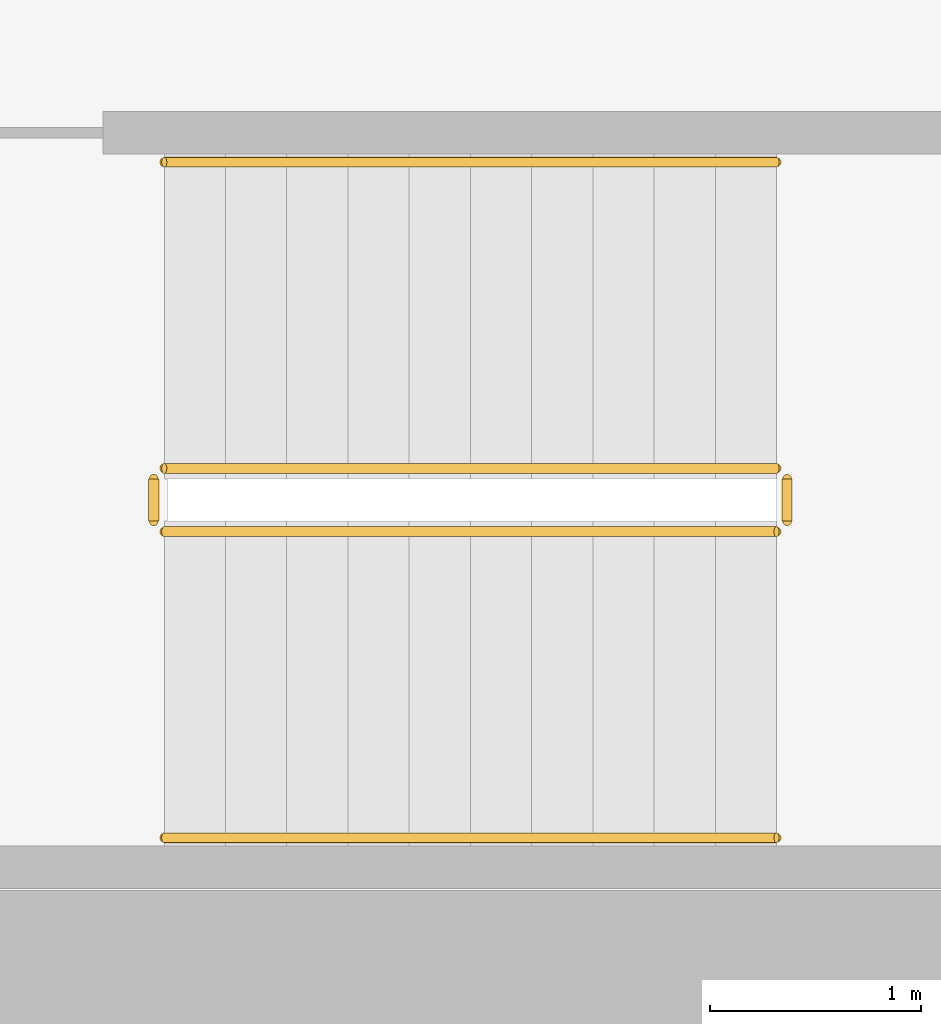
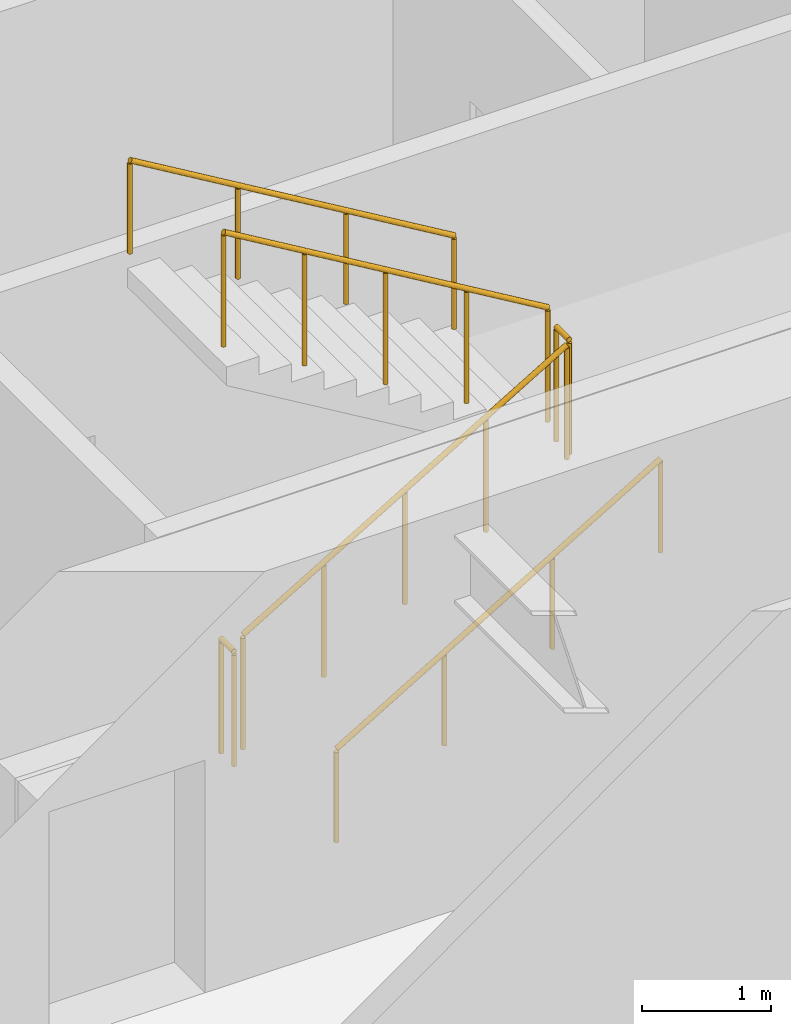
# One storey, part 20 of 21: 6 railings.
"""IFC4 building model written with IfcOpenShell, lengths in metres."""

from ifc_helpers import new_model, si_unit, direction, frame, origin, origin_2d, place, context, subcontext, project, spatial, circle, extrude, material, type_object, element, save


model = new_model("IFC4")

# Units and contexts
model_context = context("Model", 3, precision=1e-05, world=origin(), true_north=direction((0.0, 1.0)))
body_context = subcontext(model_context, "Body", "Model", "MODEL_VIEW")
ifc_project = project(units=[si_unit("LENGTHUNIT", "METRE"), si_unit("AREAUNIT", "SQUARE_METRE"), si_unit("VOLUMEUNIT", "CUBIC_METRE"), si_unit("PLANEANGLEUNIT", "RADIAN"), si_unit("MASSUNIT", "GRAM", prefix="KILO")], contexts=[model_context])

# Site, building, storey
site_placement = place(None, origin())
site = spatial("IfcSite", under=ifc_project, at=site_placement, CompositionType="ELEMENT")
building_placement = place(site_placement, origin())
building = spatial("IfcBuilding", under=site, at=building_placement, Name="Putna Gate Headquarters", CompositionType="ELEMENT")
storey_placement = place(building_placement, frame((0.0, 0.0, 39.199951171875)))
storey = spatial("IfcBuildingStorey", under=building, at=storey_placement, Name="L08", CompositionType="ELEMENT", Elevation=39.199951171875)

# Railings
ifc_material_1 = material(Name="Powder-coated steel stair guardrail", Category="steel")
railing_type_1 = type_object("IfcRailingType", Name="RAIL-STAIR-GUARD-1100", PredefinedType="GUARDRAIL", material=ifc_material_1)
railing_1_placement = place(storey_placement, frame((57.89990234375, 21.10009765625, 0.1728515625)))
element("IfcRailing", 1, at=railing_1_placement, inside=storey, type_object=railing_type_1, Name="L08 ST2 stair guard 1", PredefinedType="GUARDRAIL", context=body_context, shape_type="SweptSolid", body=[
    extrude(circle(Radius=0.02392578125, at=origin_2d()), frame((0.0, 0.0, 1.076171875), z_axis=(0.859160404282, 0.0, 0.51170636083), x_axis=(0.0, 1.0, 0.0)), (0.0, 0.0, 1.0), 3.37548828125),
    extrude(circle(Radius=0.02099609375, at=origin_2d()), origin(), (0.0, 0.0, 1.0), 1.052001953125),
    extrude(circle(Radius=0.02099609375, at=origin_2d()), frame((0.72509765625, 0.0, 0.431884765625)), (0.0, 0.0, 1.0), 1.052001953125),
    extrude(circle(Radius=0.02099609375, at=origin_2d()), frame((1.4501953125, 0.0, 0.86376953125)), (0.0, 0.0, 1.0), 1.052001953125),
    extrude(circle(Radius=0.02099609375, at=origin_2d()), frame((2.175048828125, 0.0, 1.29541015625)), (0.0, 0.0, 1.0), 1.052001953125),
    extrude(circle(Radius=0.02099609375, at=origin_2d()), frame((2.900146484375, 0.0, 1.727294921875)), (0.0, 0.0, 1.0), 1.052001953125),
])
railing_2_placement = place(storey_placement, frame((60.85009765625, 21.14990234375, 1.900146484375)))
element("IfcRailing", 2, at=railing_2_placement, inside=storey, type_object=railing_type_1, Name="L08 ST2 stair guard 2", PredefinedType="GUARDRAIL", context=body_context, shape_type="SweptSolid", body=[
    extrude(circle(Radius=0.02392578125, at=origin_2d()), frame((0.0, 0.0, 1.076171875), z_axis=(0.0, 1.0, 0.0), x_axis=(-1.0, 0.0, 0.0)), (0.0, 0.0, 1.0), 0.2001953125),
    extrude(circle(Radius=0.02099609375, at=origin_2d()), origin(), (0.0, 0.0, 1.0), 1.052001953125),
    extrude(circle(Radius=0.02099609375, at=origin_2d()), frame((0.0, 0.2001953125, 0.0)), (0.0, 0.0, 1.0), 1.052001953125),
])
railing_3_placement = place(storey_placement, frame((60.800048828125, 21.39990234375, 2.07275390625)))
element("IfcRailing", 3, at=railing_3_placement, inside=storey, type_object=railing_type_1, Name="L08 ST2 stair guard 3", PredefinedType="GUARDRAIL", context=body_context, shape_type="SweptSolid", body=[
    extrude(circle(Radius=0.02392578125, at=origin_2d()), frame((0.0, 0.0, 1.076171875), z_axis=(-0.859160404282, 0.0, 0.51170636083), x_axis=(0.0, -1.0, 0.0)), (0.0, 0.0, 1.0), 3.37548828125),
    extrude(circle(Radius=0.02099609375, at=origin_2d()), origin(), (0.0, 0.0, 1.0), 1.052001953125),
    extrude(circle(Radius=0.02099609375, at=origin_2d()), frame((-0.72509765625, 0.0, 0.431884765625)), (0.0, 0.0, 1.0), 1.052001953125),
    extrude(circle(Radius=0.02099609375, at=origin_2d()), frame((-1.4501953125, 0.0, 0.86376953125)), (0.0, 0.0, 1.0), 1.052001953125),
    extrude(circle(Radius=0.02099609375, at=origin_2d()), frame((-2.175048828125, 0.0, 1.29541015625)), (0.0, 0.0, 1.0), 1.052001953125),
    extrude(circle(Radius=0.02099609375, at=origin_2d()), frame((-2.900146484375, 0.0, 1.727294921875)), (0.0, 0.0, 1.0), 1.052001953125),
])
railing_4_placement = place(storey_placement, frame((57.85009765625, 21.14990234375, 0.0)))
element("IfcRailing", 4, at=railing_4_placement, inside=storey, type_object=railing_type_1, Name="L08 ST2 stair guard 4", PredefinedType="GUARDRAIL", context=body_context, shape_type="SweptSolid", body=[
    extrude(circle(Radius=0.02392578125, at=origin_2d()), frame((0.0, 0.0, 1.076171875), z_axis=(0.0, 1.0, 0.0), x_axis=(-1.0, 0.0, 0.0)), (0.0, 0.0, 1.0), 0.2001953125),
    extrude(circle(Radius=0.02099609375, at=origin_2d()), origin(), (0.0, 0.0, 1.0), 1.052001953125),
    extrude(circle(Radius=0.02099609375, at=origin_2d()), frame((0.0, 0.2001953125, 0.0)), (0.0, 0.0, 1.0), 1.052001953125),
])
ifc_material_2 = material(Name="Brushed stainless steel handrail", Category="steel")
railing_type_2 = type_object("IfcRailingType", Name="RAIL-STAIR-HAND-900", PredefinedType="HANDRAIL", material=ifc_material_2)
railing_5_placement = place(storey_placement, frame((57.89990234375, 19.64990234375, 0.1728515625)))
element("IfcRailing", 5, at=railing_5_placement, inside=storey, type_object=railing_type_2, Name="L08 ST2 stair handrail 1", PredefinedType="HANDRAIL", context=body_context, shape_type="SweptSolid", body=[
    extrude(circle(Radius=0.02392578125, at=origin_2d()), frame((0.0, 0.0, 0.8759765625), z_axis=(0.859160404282, 0.0, 0.51170636083), x_axis=(0.0, 1.0, 0.0)), (0.0, 0.0, 1.0), 3.37548828125),
    extrude(circle(Radius=0.02099609375, at=origin_2d()), origin(), (0.0, 0.0, 1.0), 0.851806640625),
    extrude(circle(Radius=0.02099609375, at=origin_2d()), frame((0.966796875, 0.0, 0.57568359375)), (0.0, 0.0, 1.0), 0.851806640625),
    extrude(circle(Radius=0.02099609375, at=origin_2d()), frame((1.933349609375, 0.0, 1.151611328125)), (0.0, 0.0, 1.0), 0.851806640625),
    extrude(circle(Radius=0.02099609375, at=origin_2d()), frame((2.900146484375, 0.0, 1.727294921875)), (0.0, 0.0, 1.0), 0.851806640625),
])
railing_6_placement = place(storey_placement, frame((60.800048828125, 22.85009765625, 2.07275390625)))
element("IfcRailing", 6, at=railing_6_placement, inside=storey, type_object=railing_type_2, Name="L08 ST2 stair handrail 2", PredefinedType="HANDRAIL", context=body_context, shape_type="SweptSolid", body=[
    extrude(circle(Radius=0.02392578125, at=origin_2d()), frame((0.0, 0.0, 0.8759765625), z_axis=(-0.859160404282, 0.0, 0.51170636083), x_axis=(0.0, -1.0, 0.0)), (0.0, 0.0, 1.0), 3.37548828125),
    extrude(circle(Radius=0.02099609375, at=origin_2d()), origin(), (0.0, 0.0, 1.0), 0.851806640625),
    extrude(circle(Radius=0.02099609375, at=origin_2d()), frame((-0.966796875, 0.0, 0.57568359375)), (0.0, 0.0, 1.0), 0.851806640625),
    extrude(circle(Radius=0.02099609375, at=origin_2d()), frame((-1.933349609375, 0.0, 1.151611328125)), (0.0, 0.0, 1.0), 0.851806640625),
    extrude(circle(Radius=0.02099609375, at=origin_2d()), frame((-2.900146484375, 0.0, 1.727294921875)), (0.0, 0.0, 1.0), 0.851806640625),
])

save(model, "model.ifc")
